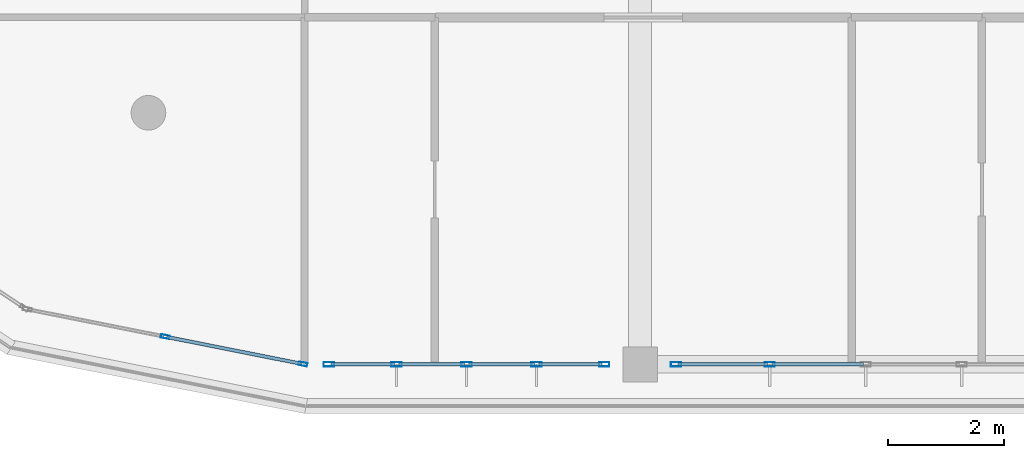
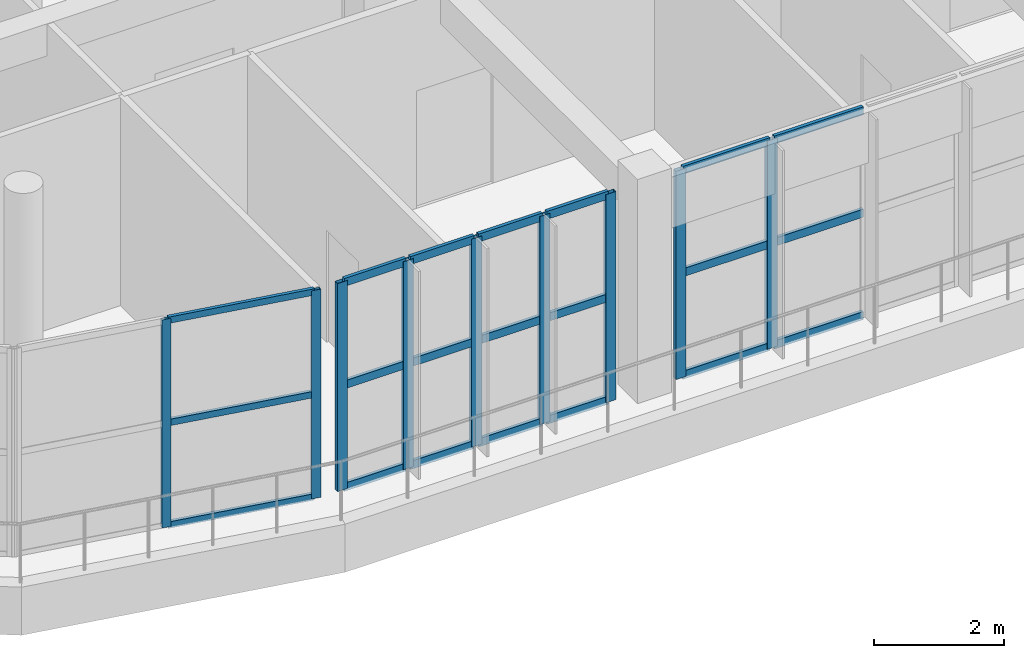
# One storey, part 4 of 50: 30 members, 3 elements without a shape of their own.
"""IFC4 building model written with IfcOpenShell, lengths in metres."""

import ifcopenshell
import ifcopenshell.guid

model = None  # the IFC model being written
_history = None  # IfcOwnerHistory: only IFC2X3 demands one
_inside = {}  # id of a spatial element -> (the spatial element, [elements in it])
_under = {}  # id of a project, library or spatial element -> (it, [spatial elements below it])
_declared = {}  # id of a project -> (the project, [libraries it declares])
_typed = {}  # id of a type object -> (the type object, [elements of that type])
_made_of = {}  # id of a material, layer set ... -> (it, [elements and type objects made of it])


def new_model(schema):
    """Start an empty IFC model of exactly this schema.

    Asked for "IFC4X3", IfcOpenShell would pick the latest addendum, in which some entities
    have other attributes; the version numbers below select the first issue.
    IFC2X3 requires an IfcOwnerHistory on every rooted entity: one is made here for all.
    """
    global model, _history
    if schema == "IFC4X3":
        model = ifcopenshell.file(schema_version=(4, 3, 0, 0))
    else:
        model = ifcopenshell.file(schema=schema)
    _inside.clear()
    _under.clear()
    _declared.clear()
    _typed.clear()
    _made_of.clear()
    _history = None
    if model.schema == "IFC2X3":
        org = make("IfcOrganization", Name="unknown")
        user = make(
            "IfcPersonAndOrganization",
            ThePerson=make("IfcPerson", FamilyName="unknown"),
            TheOrganization=org,
        )
        app = make(
            "IfcApplication",
            ApplicationDeveloper=org,
            Version="unknown",
            ApplicationFullName="unknown",
            ApplicationIdentifier="unknown",
        )
        _history = make(
            "IfcOwnerHistory",
            OwningUser=user,
            OwningApplication=app,
            ChangeAction="ADDED",
            CreationDate=0,
        )
    return model


def make(cls, **values):
    """One entity of the class cls with the attributes given. An attribute that is None is left unset."""
    return model.create_entity(
        cls, **{name: value for name, value in values.items() if value is not None}
    )


def rooted(cls, **values):
    """An entity with a GlobalId (a new one), such as an element, a storey or a relation."""
    return make(cls, GlobalId=ifcopenshell.guid.new(), OwnerHistory=_history, **values)


def si_unit(unit_type, name, prefix=None):
    """IfcSIUnit, for example si_unit("LENGTHUNIT", "METRE", prefix="MILLI")."""
    return make("IfcSIUnit", UnitType=unit_type, Prefix=prefix, Name=name)


def assignment(units):
    """IfcUnitAssignment: the units of a project."""
    return None if units is None else make("IfcUnitAssignment", Units=units)


def point(xyz):
    """IfcCartesianPoint."""
    return None if xyz is None else make("IfcCartesianPoint", Coordinates=xyz)


def direction(xyz):
    """IfcDirection."""
    return None if xyz is None else make("IfcDirection", DirectionRatios=xyz)


def frame(location, z_axis=None, x_axis=None):
    """IfcAxis2Placement3D, a coordinate frame: its origin and axes. An axis left out is left unset."""
    return make(
        "IfcAxis2Placement3D",
        Location=point(location),
        Axis=direction(z_axis),
        RefDirection=direction(x_axis),
    )


def frame_2d(location, x_axis=None):
    """IfcAxis2Placement2D, a coordinate frame in the plane: its origin and x axis."""
    return make(
        "IfcAxis2Placement2D", Location=point(location), RefDirection=direction(x_axis)
    )


def origin():
    """The frame at (0, 0, 0) with its axes left unset."""
    return frame((0.0, 0.0, 0.0))


def origin_2d():
    """The frame at (0, 0) in the plane with its x axis left unset."""
    return frame_2d((0.0, 0.0))


def place(relative_to, where):
    """IfcLocalPlacement: puts the frame where relative to a parent placement (None: the world)."""
    return make(
        "IfcLocalPlacement", PlacementRelTo=relative_to, RelativePlacement=where
    )


def context(
    kind, dimensions, precision=None, world=None, true_north=None, identifier=None
):
    """IfcGeometricRepresentationContext, for example the 3D "Model" context."""
    return make(
        "IfcGeometricRepresentationContext",
        ContextIdentifier=identifier,
        ContextType=kind,
        CoordinateSpaceDimension=dimensions,
        Precision=precision,
        WorldCoordinateSystem=world,
        TrueNorth=true_north,
    )


def subcontext(parent, identifier, kind, view, scale=None):
    """IfcGeometricRepresentationSubContext, for example "Body" below "Model"."""
    return make(
        "IfcGeometricRepresentationSubContext",
        ContextIdentifier=identifier,
        ContextType=kind,
        ParentContext=parent,
        TargetScale=scale,
        TargetView=view,
    )


def project(units=None, contexts=None):
    """IfcProject with its units and contexts."""
    return rooted(
        "IfcProject",
        Name="project",
        RepresentationContexts=contexts,
        UnitsInContext=assignment(units),
    )


def spatial(cls, under=None, at=None, **own):
    """A site, building, storey or space (cls), placed at a placement, below another one or the project."""
    s = rooted(cls, ObjectPlacement=at, **own)
    if under is not None:
        _under.setdefault(under.id(), (under, []))[1].append(s)
    return s


def profile(cls, at=None, kind="AREA", **sizes):
    """A parametric profile (cls). Its sizes go by their IFC names, for example OverallWidth=200.0."""
    return make(cls, ProfileType=kind, Position=at, **sizes)


def hollow_rectangle(**sizes):
    """IfcRectangleHollowProfileDef."""
    return profile("IfcRectangleHollowProfileDef", **sizes)


def extrude(swept, where, along, depth):
    """IfcExtrudedAreaSolid: the profile swept, set in the frame where, extruded along a direction by depth."""
    return make(
        "IfcExtrudedAreaSolid",
        SweptArea=swept,
        Position=where,
        ExtrudedDirection=direction(along),
        Depth=depth,
    )


def shape(context_of_items, identifier, shape_type, items):
    """IfcShapeRepresentation: the items that make up one representation, for example the "Body"."""
    return make(
        "IfcShapeRepresentation",
        ContextOfItems=context_of_items,
        RepresentationIdentifier=identifier,
        RepresentationType=shape_type,
        Items=items,
    )


def material(Name=None, Category=None):
    """IfcMaterial."""
    return make("IfcMaterial", Name=Name, Category=Category)


def layer(
    of_material, thickness, ventilated=None, Name=None, Category=None, Priority=None
):
    """IfcMaterialLayer: one layer of a wall or slab, of a material (None: an air gap)."""
    return make(
        "IfcMaterialLayer",
        Material=of_material,
        LayerThickness=thickness,
        IsVentilated=ventilated,
        Name=Name,
        Category=Category,
        Priority=Priority,
    )


def layer_set(layers, Name=None):
    """IfcMaterialLayerSet."""
    return make("IfcMaterialLayerSet", MaterialLayers=layers, LayerSetName=Name)


def material_profile(
    of_material, cross_section, Name=None, Category=None, Priority=None
):
    """IfcMaterialProfile: a cross section and its material."""
    return make(
        "IfcMaterialProfile",
        Name=Name,
        Material=of_material,
        Profile=cross_section,
        Priority=Priority,
        Category=Category,
    )


def profile_set(profiles, Name=None, composite=None):
    """IfcMaterialProfileSet."""
    return make(
        "IfcMaterialProfileSet",
        Name=Name,
        MaterialProfiles=profiles,
        CompositeProfile=composite,
    )


def made_of(thing, what):
    """Note that an element or type object is made of a material, layer set ...; save() writes the relation."""
    if what is not None:
        _made_of.setdefault(what.id(), (what, []))[1].append(thing)
    return thing


def type_object(cls, material=None, **own):
    """A type object (cls), such as IfcWallType, which elements share."""
    return made_of(rooted(cls, **own), material)


def element(
    cls,
    number,
    at=None,
    inside=None,
    cuts=None,
    type_object=None,
    material=None,
    context=None,
    identifier="Body",
    shape_type=None,
    held_by="IfcProductDefinitionShape",
    body=None,
    shapes=None,
    **own,
):
    """One element of the class cls, such as IfcWall. Its Tag is "e" and its number.

    at: its placement. inside: the storey or other place that contains it. cuts: it is an
    opening in that element (IfcRelVoidsElement). A single representation is given by context,
    identifier, shape_type and body (its items); several are given by shapes. held_by: the class
    of the entity that holds the representations. save() writes the other relations.
    """
    e = rooted(cls, Tag="e%d" % number, ObjectPlacement=at, **own)
    if body is not None:
        shapes = [shape(context, identifier, shape_type, body)]
    if shapes is not None:
        e.Representation = make(held_by, Representations=shapes)
    if inside is not None:
        _inside.setdefault(inside.id(), (inside, []))[1].append(e)
    if cuts is not None:
        rooted(
            "IfcRelVoidsElement", RelatingBuildingElement=cuts, RelatedOpeningElement=e
        )
    if type_object is not None:
        _typed.setdefault(type_object.id(), (type_object, []))[1].append(e)
    return made_of(e, material)


def aggregate(whole, parts):
    """IfcRelAggregates: a whole, such as a stair, and the parts it consists of."""
    return rooted("IfcRelAggregates", RelatingObject=whole, RelatedObjects=parts)


def save(model, path):
    """Write the relations noted so far, then the file.

    IfcRelAggregates (storeys below a building ...), IfcRelContainedInSpatialStructure (elements
    in a storey), IfcRelDefinesByType, IfcRelAssociatesMaterial and IfcRelDeclares: one each for
    every whole, place, type object, material and project.
    """
    for whole, parts in _under.values():
        aggregate(whole, parts)
    for where, things in _inside.values():
        rooted(
            "IfcRelContainedInSpatialStructure",
            RelatedElements=things,
            RelatingStructure=where,
        )
    for kind, things in _typed.values():
        rooted("IfcRelDefinesByType", RelatedObjects=things, RelatingType=kind)
    for what, things in _made_of.values():
        rooted("IfcRelAssociatesMaterial", RelatedObjects=things, RelatingMaterial=what)
    for by, libraries in _declared.values():
        rooted("IfcRelDeclares", RelatingContext=by, RelatedDefinitions=libraries)
    model.write(path)


model = new_model("IFC4")

# Units and contexts
model_context = context("Model", 3, precision=1e-05, world=origin(), true_north=direction((0.0, 1.0)))
body_context = subcontext(model_context, "Body", "Model", "MODEL_VIEW")
ifc_project = project(units=[si_unit("LENGTHUNIT", "METRE"), si_unit("AREAUNIT", "SQUARE_METRE"), si_unit("VOLUMEUNIT", "CUBIC_METRE"), si_unit("PLANEANGLEUNIT", "RADIAN"), si_unit("MASSUNIT", "GRAM", prefix="KILO")], contexts=[model_context])

# Site, building, storey
site_placement = place(None, origin())
site = spatial("IfcSite", under=ifc_project, at=site_placement, CompositionType="ELEMENT")
building_placement = place(site_placement, origin())
building = spatial("IfcBuilding", under=site, at=building_placement, Name="Zizhar Promenade General Hospital", CompositionType="ELEMENT")
storey_placement = place(building_placement, frame((0.0, 0.0, 30.60009765625)))
storey = spatial("IfcBuildingStorey", under=building, at=storey_placement, Name="L07", CompositionType="ELEMENT", Elevation=30.60009765625)

# Curtain wall, members
ifc_material_1 = material(Name="Anodised aluminium 6063-T6 and low-E glass", Category="aluminium")
ifc_layer_1 = layer(ifc_material_1, 0.159912109375)
ifc_layer_set_1 = layer_set([ifc_layer_1], Name="Anodised aluminium 6063-T6 and low-E glass")
curtain_wall_type_1 = type_object("IfcCurtainWallType", Name="CW-WARD-ARC", PredefinedType="NOTDEFINED", material=ifc_layer_set_1)
curtain_wall_1_placement = place(storey_placement, origin())
curtain_wall_1 = element("IfcCurtainWall", 1, at=curtain_wall_1_placement, inside=storey, type_object=curtain_wall_type_1, Name="Ward Semicircular End Glazing L07-17", PredefinedType="NOTDEFINED")
ifc_material_2 = material(Name="Anodised aluminium 6063-T6", Category="aluminium")
ifc_material_profile_1 = material_profile(ifc_material_2, hollow_rectangle(XDim=0.06005859375, YDim=0.14990234375, WallThickness=0.00390625, at=origin_2d()))
ifc_profile_set_1 = profile_set([ifc_material_profile_1], Name="Anodised aluminium 6063-T6")
member_type_1 = type_object("IfcMemberType", Name="CWM-ALU-150x60", PredefinedType="MULLION", material=ifc_profile_set_1)
member_1_placement = place(storey_placement, frame((40.970458984375, 0.005859375, 0.0), z_axis=(0.0, 0.0, 1.0), x_axis=(-0.195087259275, -0.980785889615, 0.0)))
member_1 = element("IfcMember", 2, at=member_1_placement, type_object=member_type_1, Name="CW-12 mullion 1", PredefinedType="MULLION", context=body_context, shape_type="SweptSolid", body=[
    extrude(hollow_rectangle(XDim=0.06005859375, YDim=0.14990234375, WallThickness=0.00390625, at=origin_2d()), origin(), (0.0, 0.0, 1.0), 3.89990234375),
])
member_2_placement = place(storey_placement, frame((38.589111328125, 0.4794921875, 0.0), z_axis=(0.0, 0.0, 1.0), x_axis=(-0.195087259275, -0.980785889615, 0.0)))
member_2 = element("IfcMember", 3, at=member_2_placement, type_object=member_type_1, Name="CW-12 mullion 2", PredefinedType="MULLION", context=body_context, shape_type="SweptSolid", body=[
    extrude(hollow_rectangle(XDim=0.06005859375, YDim=0.14990234375, WallThickness=0.00390625, at=origin_2d()), origin(), (0.0, 0.0, 1.0), 3.89990234375),
])

ifc_material_3 = material(Name="Anodised aluminium 6063-T6 and low-E glass", Category="aluminium")
ifc_layer_2 = layer(ifc_material_3, 0.159912109375)
ifc_layer_set_2 = layer_set([ifc_layer_2], Name="Anodised aluminium 6063-T6 and low-E glass")
curtain_wall_type_2 = type_object("IfcCurtainWallType", Name="CW-WARD-RIB", PredefinedType="NOTDEFINED", material=ifc_layer_set_2)
curtain_wall_2_placement = place(storey_placement, origin())
curtain_wall_2 = element("IfcCurtainWall", 4, at=curtain_wall_2_placement, inside=storey, type_object=curtain_wall_type_2, Name="Ward Ribbon Curtain Wall L07-17-7", PredefinedType="NOTDEFINED")
ifc_material_4 = material(Name="Anodised aluminium 6063-T6", Category="aluminium")
ifc_material_profile_2 = material_profile(ifc_material_4, hollow_rectangle(XDim=0.080078125, YDim=0.179931640625, WallThickness=0.0048828125, at=origin_2d()))
ifc_profile_set_2 = profile_set([ifc_material_profile_2], Name="Anodised aluminium 6063-T6")
member_type_2 = type_object("IfcMemberType", Name="CWM-ALU-180x80", PredefinedType="MULLION", material=ifc_profile_set_2)
member_3_placement = place(storey_placement, frame((49.0400390625, 0.0, 0.0), z_axis=(0.0, 0.0, 1.0), x_axis=(0.0, -1.0, 0.0)))
member_3 = element("IfcMember", 5, at=member_3_placement, type_object=member_type_2, Name="CW-13 mullion 4", PredefinedType="MULLION", context=body_context, shape_type="SweptSolid", body=[
    extrude(hollow_rectangle(XDim=0.080078125, YDim=0.179931640625, WallThickness=0.0048828125, at=origin_2d()), origin(), (0.0, 0.0, 1.0), 3.89990234375),
])
member_4_placement = place(storey_placement, frame((47.419921875, 0.0, 0.0), z_axis=(0.0, 0.0, 1.0), x_axis=(0.0, -1.0, 0.0)))
member_4 = element("IfcMember", 6, at=member_4_placement, type_object=member_type_2, Name="CW-13 mullion 5", PredefinedType="MULLION", context=body_context, shape_type="SweptSolid", body=[
    extrude(hollow_rectangle(XDim=0.080078125, YDim=0.179931640625, WallThickness=0.0048828125, at=origin_2d()), origin(), (0.0, 0.0, 1.0), 3.89990234375),
])

curtain_wall_3_placement = place(storey_placement, origin())
curtain_wall_3 = element("IfcCurtainWall", 7, at=curtain_wall_3_placement, inside=storey, type_object=curtain_wall_type_2, Name="Ward Ribbon Curtain Wall L07-17-8", PredefinedType="NOTDEFINED")
member_5_placement = place(storey_placement, frame((46.179931640625, 0.0, 0.0), z_axis=(0.0, 0.0, 1.0), x_axis=(0.0, -1.0, 0.0)))
member_5 = element("IfcMember", 8, at=member_5_placement, type_object=member_type_2, Name="CW-13 mullion 1", PredefinedType="MULLION", context=body_context, shape_type="SweptSolid", body=[
    extrude(hollow_rectangle(XDim=0.080078125, YDim=0.179931640625, WallThickness=0.0048828125, at=origin_2d()), origin(), (0.0, 0.0, 1.0), 3.89990234375),
])
member_6_placement = place(storey_placement, frame((45.010009765625, 0.0, 0.0), z_axis=(0.0, 0.0, 1.0), x_axis=(0.0, -1.0, 0.0)))
member_6 = element("IfcMember", 9, at=member_6_placement, type_object=member_type_2, Name="CW-13 mullion 2", PredefinedType="MULLION", context=body_context, shape_type="SweptSolid", body=[
    extrude(hollow_rectangle(XDim=0.080078125, YDim=0.179931640625, WallThickness=0.0048828125, at=origin_2d()), origin(), (0.0, 0.0, 1.0), 3.89990234375),
])
member_7_placement = place(storey_placement, frame((43.800048828125, 0.0, 0.0), z_axis=(0.0, 0.0, 1.0), x_axis=(0.0, -1.0, 0.0)))
member_7 = element("IfcMember", 10, at=member_7_placement, type_object=member_type_2, Name="CW-13 mullion 3", PredefinedType="MULLION", context=body_context, shape_type="SweptSolid", body=[
    extrude(hollow_rectangle(XDim=0.080078125, YDim=0.179931640625, WallThickness=0.0048828125, at=origin_2d()), origin(), (0.0, 0.0, 1.0), 3.89990234375),
])
member_8_placement = place(storey_placement, frame((42.590087890625, 0.0, 0.0), z_axis=(0.0, 0.0, 1.0), x_axis=(0.0, -1.0, 0.0)))
member_8 = element("IfcMember", 11, at=member_8_placement, type_object=member_type_2, Name="CW-13 mullion 4", PredefinedType="MULLION", context=body_context, shape_type="SweptSolid", body=[
    extrude(hollow_rectangle(XDim=0.080078125, YDim=0.179931640625, WallThickness=0.0048828125, at=origin_2d()), origin(), (0.0, 0.0, 1.0), 3.89990234375),
])
member_9_placement = place(storey_placement, frame((41.419921875, 0.0, 0.0), z_axis=(0.0, 0.0, 1.0), x_axis=(0.0, -1.0, 0.0)))
member_9 = element("IfcMember", 12, at=member_9_placement, type_object=member_type_2, Name="CW-13 mullion 5", PredefinedType="MULLION", context=body_context, shape_type="SweptSolid", body=[
    extrude(hollow_rectangle(XDim=0.080078125, YDim=0.179931640625, WallThickness=0.0048828125, at=origin_2d()), origin(), (0.0, 0.0, 1.0), 3.89990234375),
])

# Member
ifc_material_5 = material(Name="Anodised aluminium 6063-T6", Category="aluminium")
ifc_material_profile_3 = material_profile(ifc_material_5, hollow_rectangle(XDim=0.06005859375, YDim=0.1201171875, WallThickness=0.00390625, at=origin_2d()))
ifc_profile_set_3 = profile_set([ifc_material_profile_3], Name="Anodised aluminium 6063-T6")
member_type_3 = type_object("IfcMemberType", Name="CWT-ALU-120x60", PredefinedType="USERDEFINED", material=ifc_profile_set_3)
member_10_placement = place(storey_placement, frame((40.941162109375, 0.01171875, 0.02978515625), z_axis=(-0.980794200422, 0.195045472693, 0.0), x_axis=(-0.195045472693, -0.980794200422, 0.0)))
member_10 = element("IfcMember", 13, at=member_10_placement, type_object=member_type_3, Name="CW-12 transom 1.1", ObjectType="TRANSOM", PredefinedType="USERDEFINED", context=body_context, shape_type="SweptSolid", body=[
    extrude(hollow_rectangle(XDim=0.06005859375, YDim=0.1201171875, WallThickness=0.00390625, at=origin_2d()), origin(), (0.0, 0.0, 1.0), 2.3681640625),
])

member_11_placement = place(storey_placement, frame((40.941162109375, 0.01171875, 1.949951171875), z_axis=(-0.980794200422, 0.195045472693, 0.0), x_axis=(-0.195045472693, -0.980794200422, 0.0)))
member_11 = element("IfcMember", 14, at=member_11_placement, type_object=member_type_3, Name="CW-12 transom 1.2", ObjectType="TRANSOM", PredefinedType="USERDEFINED", context=body_context, shape_type="SweptSolid", body=[
    extrude(hollow_rectangle(XDim=0.06005859375, YDim=0.1201171875, WallThickness=0.00390625, at=origin_2d()), origin(), (0.0, 0.0, 1.0), 2.3681640625),
])

member_12_placement = place(storey_placement, frame((40.941162109375, 0.01171875, 3.869873046875), z_axis=(-0.980794200422, 0.195045472693, 0.0), x_axis=(-0.195045472693, -0.980794200422, 0.0)))
member_12 = element("IfcMember", 15, at=member_12_placement, type_object=member_type_3, Name="CW-12 transom 1.3", ObjectType="TRANSOM", PredefinedType="USERDEFINED", context=body_context, shape_type="SweptSolid", body=[
    extrude(hollow_rectangle(XDim=0.06005859375, YDim=0.1201171875, WallThickness=0.00390625, at=origin_2d()), origin(), (0.0, 0.0, 1.0), 2.3681640625),
])

aggregate(curtain_wall_1, [member_1, member_2, member_10, member_11, member_12])

ifc_material_6 = material(Name="Anodised aluminium 6063-T6", Category="aluminium")
ifc_material_profile_4 = material_profile(ifc_material_6, hollow_rectangle(XDim=0.06005859375, YDim=0.14990234375, WallThickness=0.00390625, at=origin_2d()))
ifc_profile_set_4 = profile_set([ifc_material_profile_4], Name="Anodised aluminium 6063-T6")
member_type_4 = type_object("IfcMemberType", Name="CWT-ALU-150x60", PredefinedType="USERDEFINED", material=ifc_profile_set_4)
member_13_placement = place(storey_placement, frame((50.659912109375, 0.0, 0.02978515625), z_axis=(-1.0, 0.0, 0.0), x_axis=(0.0, -1.0, 0.0)))
member_13 = element("IfcMember", 16, at=member_13_placement, type_object=member_type_4, Name="CW-13 transom 3.1", ObjectType="TRANSOM", PredefinedType="USERDEFINED", context=body_context, shape_type="SweptSolid", body=[
    extrude(hollow_rectangle(XDim=0.06005859375, YDim=0.14990234375, WallThickness=0.00390625, at=origin_2d()), origin(), (0.0, 0.0, 1.0), 1.579833984375),
])

member_14_placement = place(storey_placement, frame((50.659912109375, 0.0, 1.949951171875), z_axis=(-1.0, 0.0, 0.0), x_axis=(0.0, -1.0, 0.0)))
member_14 = element("IfcMember", 17, at=member_14_placement, type_object=member_type_4, Name="CW-13 transom 3.2", ObjectType="TRANSOM", PredefinedType="USERDEFINED", context=body_context, shape_type="SweptSolid", body=[
    extrude(hollow_rectangle(XDim=0.06005859375, YDim=0.14990234375, WallThickness=0.00390625, at=origin_2d()), origin(), (0.0, 0.0, 1.0), 1.579833984375),
])

member_15_placement = place(storey_placement, frame((50.659912109375, 0.0, 3.869873046875), z_axis=(-1.0, 0.0, 0.0), x_axis=(0.0, -1.0, 0.0)))
member_15 = element("IfcMember", 18, at=member_15_placement, type_object=member_type_4, Name="CW-13 transom 3.3", ObjectType="TRANSOM", PredefinedType="USERDEFINED", context=body_context, shape_type="SweptSolid", body=[
    extrude(hollow_rectangle(XDim=0.06005859375, YDim=0.14990234375, WallThickness=0.00390625, at=origin_2d()), origin(), (0.0, 0.0, 1.0), 1.579833984375),
])

member_16_placement = place(storey_placement, frame((49.0, 0.0, 0.02978515625), z_axis=(-1.0, 0.0, 0.0), x_axis=(0.0, -1.0, 0.0)))
member_16 = element("IfcMember", 19, at=member_16_placement, type_object=member_type_4, Name="CW-13 transom 4.1", ObjectType="TRANSOM", PredefinedType="USERDEFINED", context=body_context, shape_type="SweptSolid", body=[
    extrude(hollow_rectangle(XDim=0.06005859375, YDim=0.14990234375, WallThickness=0.00390625, at=origin_2d()), origin(), (0.0, 0.0, 1.0), 1.5400390625),
])

member_17_placement = place(storey_placement, frame((49.0, 0.0, 1.949951171875), z_axis=(-1.0, 0.0, 0.0), x_axis=(0.0, -1.0, 0.0)))
member_17 = element("IfcMember", 20, at=member_17_placement, type_object=member_type_4, Name="CW-13 transom 4.2", ObjectType="TRANSOM", PredefinedType="USERDEFINED", context=body_context, shape_type="SweptSolid", body=[
    extrude(hollow_rectangle(XDim=0.06005859375, YDim=0.14990234375, WallThickness=0.00390625, at=origin_2d()), origin(), (0.0, 0.0, 1.0), 1.5400390625),
])

member_18_placement = place(storey_placement, frame((49.0, 0.0, 3.869873046875), z_axis=(-1.0, 0.0, 0.0), x_axis=(0.0, -1.0, 0.0)))
member_18 = element("IfcMember", 21, at=member_18_placement, type_object=member_type_4, Name="CW-13 transom 4.3", ObjectType="TRANSOM", PredefinedType="USERDEFINED", context=body_context, shape_type="SweptSolid", body=[
    extrude(hollow_rectangle(XDim=0.06005859375, YDim=0.14990234375, WallThickness=0.00390625, at=origin_2d()), origin(), (0.0, 0.0, 1.0), 1.5400390625),
])

aggregate(curtain_wall_2, [member_3, member_4, member_13, member_14, member_15, member_16, member_17, member_18])

member_19_placement = place(storey_placement, frame((46.139892578125, 0.0, 0.02978515625), z_axis=(-1.0, 0.0, 0.0), x_axis=(0.0, -1.0, 0.0)))
member_19 = element("IfcMember", 22, at=member_19_placement, type_object=member_type_4, Name="CW-13 transom 1.1", ObjectType="TRANSOM", PredefinedType="USERDEFINED", context=body_context, shape_type="SweptSolid", body=[
    extrude(hollow_rectangle(XDim=0.06005859375, YDim=0.14990234375, WallThickness=0.00390625, at=origin_2d()), origin(), (0.0, 0.0, 1.0), 1.08984375),
])

member_20_placement = place(storey_placement, frame((46.139892578125, 0.0, 1.949951171875), z_axis=(-1.0, 0.0, 0.0), x_axis=(0.0, -1.0, 0.0)))
member_20 = element("IfcMember", 23, at=member_20_placement, type_object=member_type_4, Name="CW-13 transom 1.2", ObjectType="TRANSOM", PredefinedType="USERDEFINED", context=body_context, shape_type="SweptSolid", body=[
    extrude(hollow_rectangle(XDim=0.06005859375, YDim=0.14990234375, WallThickness=0.00390625, at=origin_2d()), origin(), (0.0, 0.0, 1.0), 1.08984375),
])

member_21_placement = place(storey_placement, frame((46.139892578125, 0.0, 3.869873046875), z_axis=(-1.0, 0.0, 0.0), x_axis=(0.0, -1.0, 0.0)))
member_21 = element("IfcMember", 24, at=member_21_placement, type_object=member_type_4, Name="CW-13 transom 1.3", ObjectType="TRANSOM", PredefinedType="USERDEFINED", context=body_context, shape_type="SweptSolid", body=[
    extrude(hollow_rectangle(XDim=0.06005859375, YDim=0.14990234375, WallThickness=0.00390625, at=origin_2d()), origin(), (0.0, 0.0, 1.0), 1.08984375),
])

member_22_placement = place(storey_placement, frame((44.969970703125, 0.0, 0.02978515625), z_axis=(-1.0, 0.0, 0.0), x_axis=(0.0, -1.0, 0.0)))
member_22 = element("IfcMember", 25, at=member_22_placement, type_object=member_type_4, Name="CW-13 transom 2.1", ObjectType="TRANSOM", PredefinedType="USERDEFINED", context=body_context, shape_type="SweptSolid", body=[
    extrude(hollow_rectangle(XDim=0.06005859375, YDim=0.14990234375, WallThickness=0.00390625, at=origin_2d()), origin(), (0.0, 0.0, 1.0), 1.1298828125),
])

member_23_placement = place(storey_placement, frame((44.969970703125, 0.0, 1.949951171875), z_axis=(-1.0, 0.0, 0.0), x_axis=(0.0, -1.0, 0.0)))
member_23 = element("IfcMember", 26, at=member_23_placement, type_object=member_type_4, Name="CW-13 transom 2.2", ObjectType="TRANSOM", PredefinedType="USERDEFINED", context=body_context, shape_type="SweptSolid", body=[
    extrude(hollow_rectangle(XDim=0.06005859375, YDim=0.14990234375, WallThickness=0.00390625, at=origin_2d()), origin(), (0.0, 0.0, 1.0), 1.1298828125),
])

member_24_placement = place(storey_placement, frame((44.969970703125, 0.0, 3.869873046875), z_axis=(-1.0, 0.0, 0.0), x_axis=(0.0, -1.0, 0.0)))
member_24 = element("IfcMember", 27, at=member_24_placement, type_object=member_type_4, Name="CW-13 transom 2.3", ObjectType="TRANSOM", PredefinedType="USERDEFINED", context=body_context, shape_type="SweptSolid", body=[
    extrude(hollow_rectangle(XDim=0.06005859375, YDim=0.14990234375, WallThickness=0.00390625, at=origin_2d()), origin(), (0.0, 0.0, 1.0), 1.1298828125),
])

member_25_placement = place(storey_placement, frame((43.760009765625, 0.0, 0.02978515625), z_axis=(-1.0, 0.0, 0.0), x_axis=(0.0, -1.0, 0.0)))
member_25 = element("IfcMember", 28, at=member_25_placement, type_object=member_type_4, Name="CW-13 transom 3.1", ObjectType="TRANSOM", PredefinedType="USERDEFINED", context=body_context, shape_type="SweptSolid", body=[
    extrude(hollow_rectangle(XDim=0.06005859375, YDim=0.14990234375, WallThickness=0.00390625, at=origin_2d()), origin(), (0.0, 0.0, 1.0), 1.130126953125),
])

member_26_placement = place(storey_placement, frame((43.760009765625, 0.0, 1.949951171875), z_axis=(-1.0, 0.0, 0.0), x_axis=(0.0, -1.0, 0.0)))
member_26 = element("IfcMember", 29, at=member_26_placement, type_object=member_type_4, Name="CW-13 transom 3.2", ObjectType="TRANSOM", PredefinedType="USERDEFINED", context=body_context, shape_type="SweptSolid", body=[
    extrude(hollow_rectangle(XDim=0.06005859375, YDim=0.14990234375, WallThickness=0.00390625, at=origin_2d()), origin(), (0.0, 0.0, 1.0), 1.130126953125),
])

member_27_placement = place(storey_placement, frame((43.760009765625, 0.0, 3.869873046875), z_axis=(-1.0, 0.0, 0.0), x_axis=(0.0, -1.0, 0.0)))
member_27 = element("IfcMember", 30, at=member_27_placement, type_object=member_type_4, Name="CW-13 transom 3.3", ObjectType="TRANSOM", PredefinedType="USERDEFINED", context=body_context, shape_type="SweptSolid", body=[
    extrude(hollow_rectangle(XDim=0.06005859375, YDim=0.14990234375, WallThickness=0.00390625, at=origin_2d()), origin(), (0.0, 0.0, 1.0), 1.130126953125),
])

member_28_placement = place(storey_placement, frame((42.550048828125, 0.0, 0.02978515625), z_axis=(-1.0, 0.0, 0.0), x_axis=(0.0, -1.0, 0.0)))
member_28 = element("IfcMember", 31, at=member_28_placement, type_object=member_type_4, Name="CW-13 transom 4.1", ObjectType="TRANSOM", PredefinedType="USERDEFINED", context=body_context, shape_type="SweptSolid", body=[
    extrude(hollow_rectangle(XDim=0.06005859375, YDim=0.14990234375, WallThickness=0.00390625, at=origin_2d()), origin(), (0.0, 0.0, 1.0), 1.090087890625),
])

member_29_placement = place(storey_placement, frame((42.550048828125, 0.0, 1.949951171875), z_axis=(-1.0, 0.0, 0.0), x_axis=(0.0, -1.0, 0.0)))
member_29 = element("IfcMember", 32, at=member_29_placement, type_object=member_type_4, Name="CW-13 transom 4.2", ObjectType="TRANSOM", PredefinedType="USERDEFINED", context=body_context, shape_type="SweptSolid", body=[
    extrude(hollow_rectangle(XDim=0.06005859375, YDim=0.14990234375, WallThickness=0.00390625, at=origin_2d()), origin(), (0.0, 0.0, 1.0), 1.090087890625),
])

member_30_placement = place(storey_placement, frame((42.550048828125, 0.0, 3.869873046875), z_axis=(-1.0, 0.0, 0.0), x_axis=(0.0, -1.0, 0.0)))
member_30 = element("IfcMember", 33, at=member_30_placement, type_object=member_type_4, Name="CW-13 transom 4.3", ObjectType="TRANSOM", PredefinedType="USERDEFINED", context=body_context, shape_type="SweptSolid", body=[
    extrude(hollow_rectangle(XDim=0.06005859375, YDim=0.14990234375, WallThickness=0.00390625, at=origin_2d()), origin(), (0.0, 0.0, 1.0), 1.090087890625),
])

aggregate(curtain_wall_3, [member_5, member_6, member_7, member_8, member_9, member_19, member_20, member_21, member_22, member_23, member_24, member_25, member_26, member_27, member_28, member_29, member_30])

save(model, "model.ifc")
